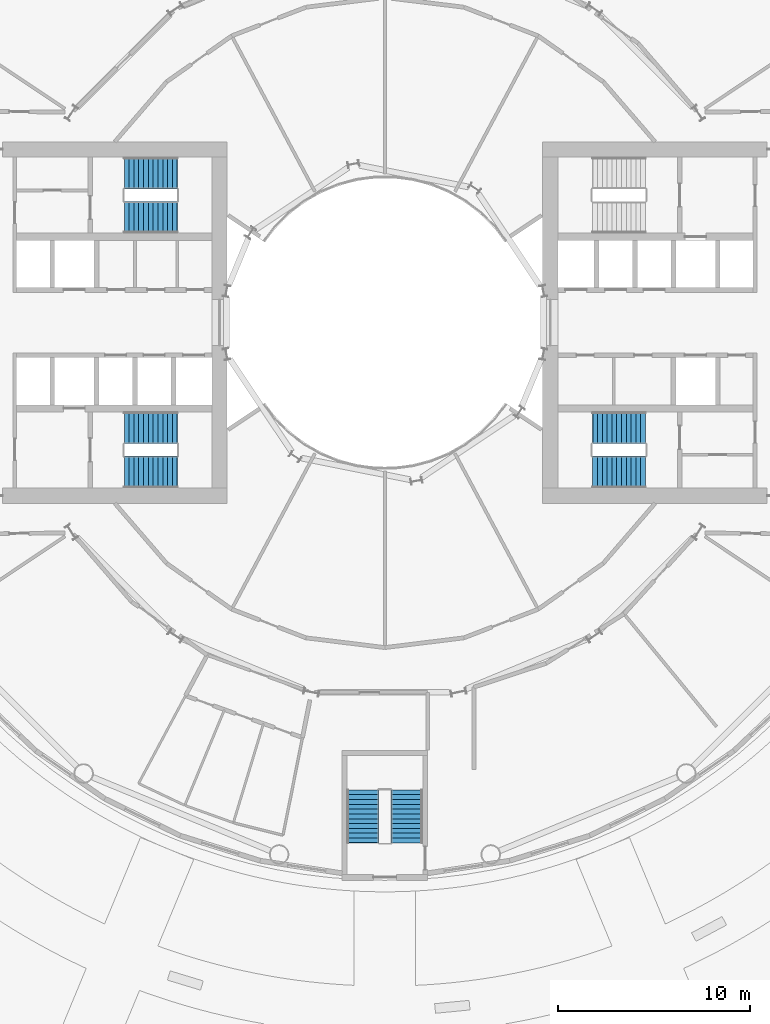
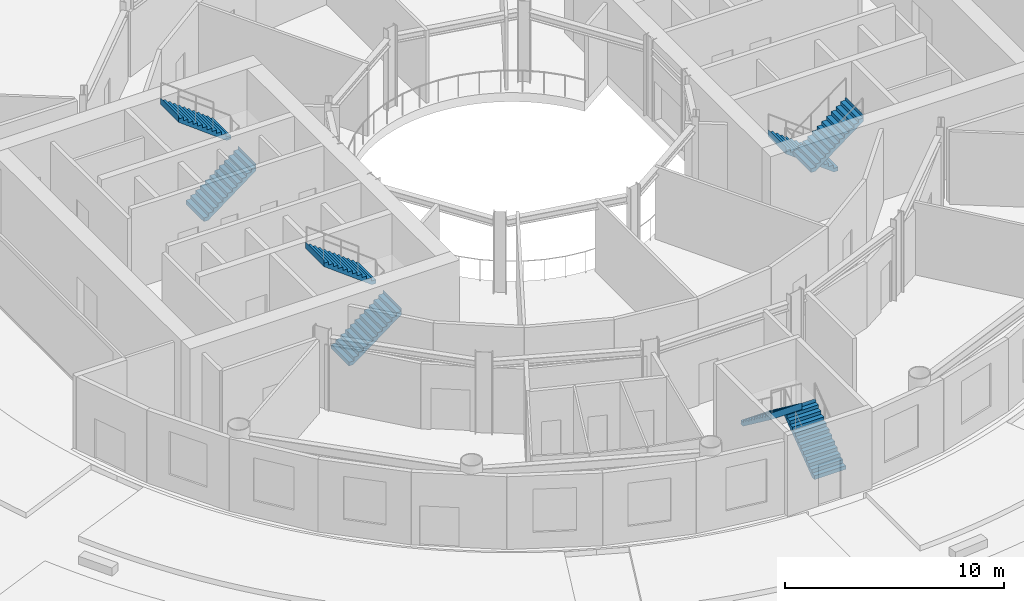
# One storey, part 16 of 19: 8 stair flights, 4 elements without a shape of their own.
"""IFC4 building model written with IfcOpenShell, lengths in metres."""

from ifc_helpers import new_model, si_unit, direction, frame, origin, place, context, subcontext, project, spatial, triangles, material, type_object, element, aggregate, save


model = new_model("IFC4")

# Units and contexts
model_context = context("Model", 3, precision=1e-05, world=origin(), true_north=direction((0.0, 1.0)))
body_context = subcontext(model_context, "Body", "Model", "MODEL_VIEW")
ifc_project = project(units=[si_unit("LENGTHUNIT", "METRE"), si_unit("AREAUNIT", "SQUARE_METRE"), si_unit("VOLUMEUNIT", "CUBIC_METRE"), si_unit("PLANEANGLEUNIT", "RADIAN"), si_unit("MASSUNIT", "GRAM", prefix="KILO")], contexts=[model_context])

# Site, building, storey
site_placement = place(None, origin())
site = spatial("IfcSite", under=ifc_project, at=site_placement, CompositionType="ELEMENT")
building_placement = place(site_placement, origin())
building = spatial("IfcBuilding", under=site, at=building_placement, Name="Maasbend Ring Residences", CompositionType="ELEMENT")
storey_placement = place(building_placement, frame((0.0, 0.0, 9.60009765625)))
storey = spatial("IfcBuildingStorey", under=building, at=storey_placement, Name="L02", CompositionType="ELEMENT", Elevation=9.60009765625)

# Stair, stair flights
ifc_material_1 = material(Name="Concrete C40/50", Category="concrete")
stair_type = type_object("IfcStairType", Name="CORE STAIR 24 RISERS", PredefinedType="HALF_TURN_STAIR", material=ifc_material_1)
stair_1_placement = place(storey_placement, origin())
stair_1 = element("IfcStair", 1, at=stair_1_placement, inside=storey, type_object=stair_type, Name="L02 Exit stair ST-E2", PredefinedType="HALF_TURN_STAIR")
ifc_material_2 = material(Name="Concrete C40/50", Category="concrete")
stair_flight_type = type_object("IfcStairFlightType", Name="CORE STAIR FLIGHT 1650", PredefinedType="STRAIGHT", material=ifc_material_2)
stair_flight_1_placement = place(storey_placement, frame((13.550048828125, -5.47509765625, 0.0), z_axis=(0.0, 0.0, 1.0), x_axis=(-1.0, 0.0, 0.0)))
stair_flight_1 = element("IfcStairFlight", 2, at=stair_flight_1_placement, type_object=stair_flight_type, Name="ST-E2 flight 1", NumberOfRisers=12, NumberOfTreads=11, PredefinedType="STRAIGHT", RiserHeight=0.1875, TreadLength=0.25, context=body_context, shape_type="Tessellation", body=[
    triangles([(0.22607421875, 0.824951171875, -0.02001953125), (2.7529296875, 0.824951171875, 1.875), (2.7529296875, 0.824951171875, 2.25), (2.739990234375, 0.824951171875, 2.0625), (2.5, 0.824951171875, 2.0625), (2.5, 0.824951171875, 1.875), (2.25, 0.824951171875, 1.875), (2.25, 0.824951171875, 1.6875), (2.0, 0.824951171875, 1.6875), (2.0, 0.824951171875, 1.5), (1.75, 0.824951171875, 1.5), (1.75, 0.824951171875, 1.3125), (1.5, 0.824951171875, 1.3125), (1.5, 0.824951171875, 1.125), (1.25, 0.824951171875, 1.125), (1.25, 0.824951171875, 0.9375), (1.0, 0.824951171875, 0.9375), (1.0, 0.824951171875, 0.75), (0.75, 0.824951171875, 0.75), (0.75, 0.824951171875, 0.5625), (0.5, 0.824951171875, 0.5625), (0.5, 0.824951171875, 0.375), (0.25, 0.824951171875, 0.375), (0.25, 0.824951171875, 0.1875), (0.0, 0.824951171875, 0.1875), (0.0, 0.824951171875, 0.0), (-0.0029296875, 0.824951171875, 0.0), (-0.0029296875, 0.824951171875, -0.02001953125), (0.22607421875, -0.824951171875, -0.02001953125), (2.7529296875, -0.824951171875, 1.875), (2.7529296875, -0.824951171875, 2.25), (2.739990234375, -0.824951171875, 2.0625), (2.5, -0.824951171875, 2.0625), (2.5, -0.824951171875, 1.875), (2.25, -0.824951171875, 1.875), (2.25, -0.824951171875, 1.6875), (2.0, -0.824951171875, 1.6875), (2.0, -0.824951171875, 1.5), (1.75, -0.824951171875, 1.5), (1.75, -0.824951171875, 1.3125), (1.5, -0.824951171875, 1.3125), (1.5, -0.824951171875, 1.125), (1.25, -0.824951171875, 1.125), (1.25, -0.824951171875, 0.9375), (1.0, -0.824951171875, 0.9375), (1.0, -0.824951171875, 0.75), (0.75, -0.824951171875, 0.75), (0.75, -0.824951171875, 0.5625), (0.5, -0.824951171875, 0.5625), (0.5, -0.824951171875, 0.375), (0.25, -0.824951171875, 0.375), (0.25, -0.824951171875, 0.1875), (0.0, -0.824951171875, 0.1875), (0.0, -0.824951171875, 0.0), (-0.0029296875, -0.824951171875, 0.0), (-0.0029296875, -0.824951171875, -0.02001953125)], [[1, 2, 30], [1, 30, 29], [2, 3, 31], [2, 31, 30], [3, 4, 32], [3, 32, 31], [4, 5, 33], [4, 33, 32], [5, 6, 34], [5, 34, 33], [6, 7, 35], [6, 35, 34], [7, 8, 36], [7, 36, 35], [8, 9, 37], [8, 37, 36], [9, 10, 38], [9, 38, 37], [10, 11, 39], [10, 39, 38], [11, 12, 40], [11, 40, 39], [12, 13, 41], [12, 41, 40], [13, 14, 42], [13, 42, 41], [14, 15, 43], [14, 43, 42], [15, 16, 44], [15, 44, 43], [16, 17, 45], [16, 45, 44], [17, 18, 46], [17, 46, 45], [18, 19, 47], [18, 47, 46], [19, 20, 48], [19, 48, 47], [20, 21, 49], [20, 49, 48], [21, 22, 50], [21, 50, 49], [22, 23, 51], [22, 51, 50], [23, 24, 52], [23, 52, 51], [24, 25, 53], [24, 53, 52], [25, 26, 54], [25, 54, 53], [26, 27, 55], [26, 55, 54], [27, 28, 56], [27, 56, 55], [28, 1, 29], [28, 29, 56], [28, 2, 1], [2, 4, 3], [2, 5, 4], [2, 6, 5], [28, 6, 2], [6, 8, 7], [28, 8, 6], [8, 10, 9], [28, 10, 8], [10, 12, 11], [28, 12, 10], [12, 14, 13], [28, 14, 12], [14, 16, 15], [28, 16, 14], [16, 18, 17], [28, 18, 16], [18, 20, 19], [28, 20, 18], [20, 22, 21], [28, 22, 20], [22, 24, 23], [28, 24, 22], [24, 26, 25], [28, 26, 24], [26, 28, 27], [56, 29, 30], [30, 31, 32], [30, 32, 33], [30, 33, 34], [56, 30, 34], [34, 35, 36], [56, 34, 36], [36, 37, 38], [56, 36, 38], [38, 39, 40], [56, 38, 40], [40, 41, 42], [56, 40, 42], [42, 43, 44], [56, 42, 44], [44, 45, 46], [56, 44, 46], [46, 47, 48], [56, 46, 48], [48, 49, 50], [56, 48, 50], [50, 51, 52], [56, 50, 52], [52, 53, 54], [56, 52, 54], [54, 55, 56]], closed=True),
])
stair_flight_2_placement = place(storey_placement, frame((10.800048828125, -7.77490234375, 2.25), z_axis=(0.0, 0.0, 1.0), x_axis=(1.0, 0.0, 0.0)))
stair_flight_2 = element("IfcStairFlight", 3, at=stair_flight_2_placement, type_object=stair_flight_type, Name="ST-E2 flight 2", NumberOfRisers=12, NumberOfTreads=11, PredefinedType="STRAIGHT", RiserHeight=0.1875, TreadLength=0.25, context=body_context, shape_type="Tessellation", body=[
    triangles([(0.22607421875, 0.824951171875, -0.02001953125), (2.7529296875, 0.824951171875, 1.875), (2.7529296875, 0.824951171875, 2.25), (2.739990234375, 0.824951171875, 2.0625), (2.5, 0.824951171875, 2.0625), (2.5, 0.824951171875, 1.875), (2.25, 0.824951171875, 1.875), (2.25, 0.824951171875, 1.6875), (2.0, 0.824951171875, 1.6875), (2.0, 0.824951171875, 1.5), (1.75, 0.824951171875, 1.5), (1.75, 0.824951171875, 1.3125), (1.5, 0.824951171875, 1.3125), (1.5, 0.824951171875, 1.125), (1.25, 0.824951171875, 1.125), (1.25, 0.824951171875, 0.9375), (1.0, 0.824951171875, 0.9375), (1.0, 0.824951171875, 0.75), (0.75, 0.824951171875, 0.75), (0.75, 0.824951171875, 0.5625), (0.5, 0.824951171875, 0.5625), (0.5, 0.824951171875, 0.375), (0.25, 0.824951171875, 0.375), (0.25, 0.824951171875, 0.1875), (0.0, 0.824951171875, 0.1875), (0.0, 0.824951171875, 0.0), (-0.0029296875, 0.824951171875, 0.0), (-0.0029296875, 0.824951171875, -0.02001953125), (0.22607421875, -0.824951171875, -0.02001953125), (2.7529296875, -0.824951171875, 1.875), (2.7529296875, -0.824951171875, 2.25), (2.739990234375, -0.824951171875, 2.0625), (2.5, -0.824951171875, 2.0625), (2.5, -0.824951171875, 1.875), (2.25, -0.824951171875, 1.875), (2.25, -0.824951171875, 1.6875), (2.0, -0.824951171875, 1.6875), (2.0, -0.824951171875, 1.5), (1.75, -0.824951171875, 1.5), (1.75, -0.824951171875, 1.3125), (1.5, -0.824951171875, 1.3125), (1.5, -0.824951171875, 1.125), (1.25, -0.824951171875, 1.125), (1.25, -0.824951171875, 0.9375), (1.0, -0.824951171875, 0.9375), (1.0, -0.824951171875, 0.75), (0.75, -0.824951171875, 0.75), (0.75, -0.824951171875, 0.5625), (0.5, -0.824951171875, 0.5625), (0.5, -0.824951171875, 0.375), (0.25, -0.824951171875, 0.375), (0.25, -0.824951171875, 0.1875), (0.0, -0.824951171875, 0.1875), (0.0, -0.824951171875, 0.0), (-0.0029296875, -0.824951171875, 0.0), (-0.0029296875, -0.824951171875, -0.02001953125)], [[1, 2, 30], [1, 30, 29], [2, 3, 31], [2, 31, 30], [3, 4, 32], [3, 32, 31], [4, 5, 33], [4, 33, 32], [5, 6, 34], [5, 34, 33], [6, 7, 35], [6, 35, 34], [7, 8, 36], [7, 36, 35], [8, 9, 37], [8, 37, 36], [9, 10, 38], [9, 38, 37], [10, 11, 39], [10, 39, 38], [11, 12, 40], [11, 40, 39], [12, 13, 41], [12, 41, 40], [13, 14, 42], [13, 42, 41], [14, 15, 43], [14, 43, 42], [15, 16, 44], [15, 44, 43], [16, 17, 45], [16, 45, 44], [17, 18, 46], [17, 46, 45], [18, 19, 47], [18, 47, 46], [19, 20, 48], [19, 48, 47], [20, 21, 49], [20, 49, 48], [21, 22, 50], [21, 50, 49], [22, 23, 51], [22, 51, 50], [23, 24, 52], [23, 52, 51], [24, 25, 53], [24, 53, 52], [25, 26, 54], [25, 54, 53], [26, 27, 55], [26, 55, 54], [27, 28, 56], [27, 56, 55], [28, 1, 29], [28, 29, 56], [28, 2, 1], [2, 4, 3], [2, 5, 4], [2, 6, 5], [28, 6, 2], [6, 8, 7], [28, 8, 6], [8, 10, 9], [28, 10, 8], [10, 12, 11], [28, 12, 10], [12, 14, 13], [28, 14, 12], [14, 16, 15], [28, 16, 14], [16, 18, 17], [28, 18, 16], [18, 20, 19], [28, 20, 18], [20, 22, 21], [28, 22, 20], [22, 24, 23], [28, 24, 22], [24, 26, 25], [28, 26, 24], [26, 28, 27], [56, 29, 30], [30, 31, 32], [30, 32, 33], [30, 33, 34], [56, 30, 34], [34, 35, 36], [56, 34, 36], [36, 37, 38], [56, 36, 38], [38, 39, 40], [56, 38, 40], [40, 41, 42], [56, 40, 42], [42, 43, 44], [56, 42, 44], [44, 45, 46], [56, 44, 46], [46, 47, 48], [56, 46, 48], [48, 49, 50], [56, 48, 50], [50, 51, 52], [56, 50, 52], [52, 53, 54], [56, 52, 54], [54, 55, 56]], closed=True),
])
aggregate(stair_1, [stair_flight_1, stair_flight_2])

stair_2_placement = place(storey_placement, origin())
stair_2 = element("IfcStair", 4, at=stair_2_placement, inside=storey, type_object=stair_type, Name="L02 Exit stair ST-W1", PredefinedType="HALF_TURN_STAIR")
stair_flight_3_placement = place(storey_placement, frame((-13.550048828125, -7.77490234375, 0.0), z_axis=(0.0, 0.0, 1.0), x_axis=(1.0, 0.0, 0.0)))
stair_flight_3 = element("IfcStairFlight", 5, at=stair_flight_3_placement, type_object=stair_flight_type, Name="ST-W1 flight 1", NumberOfRisers=12, NumberOfTreads=11, PredefinedType="STRAIGHT", RiserHeight=0.1875, TreadLength=0.25, context=body_context, shape_type="Tessellation", body=[
    triangles([(0.22607421875, 0.824951171875, -0.02001953125), (2.7529296875, 0.824951171875, 1.875), (2.7529296875, 0.824951171875, 2.25), (2.739990234375, 0.824951171875, 2.0625), (2.5, 0.824951171875, 2.0625), (2.5, 0.824951171875, 1.875), (2.25, 0.824951171875, 1.875), (2.25, 0.824951171875, 1.6875), (2.0, 0.824951171875, 1.6875), (2.0, 0.824951171875, 1.5), (1.75, 0.824951171875, 1.5), (1.75, 0.824951171875, 1.3125), (1.5, 0.824951171875, 1.3125), (1.5, 0.824951171875, 1.125), (1.25, 0.824951171875, 1.125), (1.25, 0.824951171875, 0.9375), (1.0, 0.824951171875, 0.9375), (1.0, 0.824951171875, 0.75), (0.75, 0.824951171875, 0.75), (0.75, 0.824951171875, 0.5625), (0.5, 0.824951171875, 0.5625), (0.5, 0.824951171875, 0.375), (0.25, 0.824951171875, 0.375), (0.25, 0.824951171875, 0.1875), (0.0, 0.824951171875, 0.1875), (0.0, 0.824951171875, 0.0), (-0.0029296875, 0.824951171875, 0.0), (-0.0029296875, 0.824951171875, -0.02001953125), (0.22607421875, -0.824951171875, -0.02001953125), (2.7529296875, -0.824951171875, 1.875), (2.7529296875, -0.824951171875, 2.25), (2.739990234375, -0.824951171875, 2.0625), (2.5, -0.824951171875, 2.0625), (2.5, -0.824951171875, 1.875), (2.25, -0.824951171875, 1.875), (2.25, -0.824951171875, 1.6875), (2.0, -0.824951171875, 1.6875), (2.0, -0.824951171875, 1.5), (1.75, -0.824951171875, 1.5), (1.75, -0.824951171875, 1.3125), (1.5, -0.824951171875, 1.3125), (1.5, -0.824951171875, 1.125), (1.25, -0.824951171875, 1.125), (1.25, -0.824951171875, 0.9375), (1.0, -0.824951171875, 0.9375), (1.0, -0.824951171875, 0.75), (0.75, -0.824951171875, 0.75), (0.75, -0.824951171875, 0.5625), (0.5, -0.824951171875, 0.5625), (0.5, -0.824951171875, 0.375), (0.25, -0.824951171875, 0.375), (0.25, -0.824951171875, 0.1875), (0.0, -0.824951171875, 0.1875), (0.0, -0.824951171875, 0.0), (-0.0029296875, -0.824951171875, 0.0), (-0.0029296875, -0.824951171875, -0.02001953125)], [[1, 2, 30], [1, 30, 29], [2, 3, 31], [2, 31, 30], [3, 4, 32], [3, 32, 31], [4, 5, 33], [4, 33, 32], [5, 6, 34], [5, 34, 33], [6, 7, 35], [6, 35, 34], [7, 8, 36], [7, 36, 35], [8, 9, 37], [8, 37, 36], [9, 10, 38], [9, 38, 37], [10, 11, 39], [10, 39, 38], [11, 12, 40], [11, 40, 39], [12, 13, 41], [12, 41, 40], [13, 14, 42], [13, 42, 41], [14, 15, 43], [14, 43, 42], [15, 16, 44], [15, 44, 43], [16, 17, 45], [16, 45, 44], [17, 18, 46], [17, 46, 45], [18, 19, 47], [18, 47, 46], [19, 20, 48], [19, 48, 47], [20, 21, 49], [20, 49, 48], [21, 22, 50], [21, 50, 49], [22, 23, 51], [22, 51, 50], [23, 24, 52], [23, 52, 51], [24, 25, 53], [24, 53, 52], [25, 26, 54], [25, 54, 53], [26, 27, 55], [26, 55, 54], [27, 28, 56], [27, 56, 55], [28, 1, 29], [28, 29, 56], [28, 2, 1], [2, 4, 3], [2, 5, 4], [2, 6, 5], [28, 6, 2], [6, 8, 7], [28, 8, 6], [8, 10, 9], [28, 10, 8], [10, 12, 11], [28, 12, 10], [12, 14, 13], [28, 14, 12], [14, 16, 15], [28, 16, 14], [16, 18, 17], [28, 18, 16], [18, 20, 19], [28, 20, 18], [20, 22, 21], [28, 22, 20], [22, 24, 23], [28, 24, 22], [24, 26, 25], [28, 26, 24], [26, 28, 27], [56, 29, 30], [30, 31, 32], [30, 32, 33], [30, 33, 34], [56, 30, 34], [34, 35, 36], [56, 34, 36], [36, 37, 38], [56, 36, 38], [38, 39, 40], [56, 38, 40], [40, 41, 42], [56, 40, 42], [42, 43, 44], [56, 42, 44], [44, 45, 46], [56, 44, 46], [46, 47, 48], [56, 46, 48], [48, 49, 50], [56, 48, 50], [50, 51, 52], [56, 50, 52], [52, 53, 54], [56, 52, 54], [54, 55, 56]], closed=True),
])
stair_flight_4_placement = place(storey_placement, frame((-10.800048828125, -5.47509765625, 2.25), z_axis=(0.0, 0.0, 1.0), x_axis=(-1.0, 0.0, 0.0)))
stair_flight_4 = element("IfcStairFlight", 6, at=stair_flight_4_placement, type_object=stair_flight_type, Name="ST-W1 flight 2", NumberOfRisers=12, NumberOfTreads=11, PredefinedType="STRAIGHT", RiserHeight=0.1875, TreadLength=0.25, context=body_context, shape_type="Tessellation", body=[
    triangles([(0.22607421875, 0.824951171875, -0.02001953125), (2.7529296875, 0.824951171875, 1.875), (2.7529296875, 0.824951171875, 2.25), (2.739990234375, 0.824951171875, 2.0625), (2.5, 0.824951171875, 2.0625), (2.5, 0.824951171875, 1.875), (2.25, 0.824951171875, 1.875), (2.25, 0.824951171875, 1.6875), (2.0, 0.824951171875, 1.6875), (2.0, 0.824951171875, 1.5), (1.75, 0.824951171875, 1.5), (1.75, 0.824951171875, 1.3125), (1.5, 0.824951171875, 1.3125), (1.5, 0.824951171875, 1.125), (1.25, 0.824951171875, 1.125), (1.25, 0.824951171875, 0.9375), (1.0, 0.824951171875, 0.9375), (1.0, 0.824951171875, 0.75), (0.75, 0.824951171875, 0.75), (0.75, 0.824951171875, 0.5625), (0.5, 0.824951171875, 0.5625), (0.5, 0.824951171875, 0.375), (0.25, 0.824951171875, 0.375), (0.25, 0.824951171875, 0.1875), (0.0, 0.824951171875, 0.1875), (0.0, 0.824951171875, 0.0), (-0.0029296875, 0.824951171875, 0.0), (-0.0029296875, 0.824951171875, -0.02001953125), (0.22607421875, -0.824951171875, -0.02001953125), (2.7529296875, -0.824951171875, 1.875), (2.7529296875, -0.824951171875, 2.25), (2.739990234375, -0.824951171875, 2.0625), (2.5, -0.824951171875, 2.0625), (2.5, -0.824951171875, 1.875), (2.25, -0.824951171875, 1.875), (2.25, -0.824951171875, 1.6875), (2.0, -0.824951171875, 1.6875), (2.0, -0.824951171875, 1.5), (1.75, -0.824951171875, 1.5), (1.75, -0.824951171875, 1.3125), (1.5, -0.824951171875, 1.3125), (1.5, -0.824951171875, 1.125), (1.25, -0.824951171875, 1.125), (1.25, -0.824951171875, 0.9375), (1.0, -0.824951171875, 0.9375), (1.0, -0.824951171875, 0.75), (0.75, -0.824951171875, 0.75), (0.75, -0.824951171875, 0.5625), (0.5, -0.824951171875, 0.5625), (0.5, -0.824951171875, 0.375), (0.25, -0.824951171875, 0.375), (0.25, -0.824951171875, 0.1875), (0.0, -0.824951171875, 0.1875), (0.0, -0.824951171875, 0.0), (-0.0029296875, -0.824951171875, 0.0), (-0.0029296875, -0.824951171875, -0.02001953125)], [[1, 2, 30], [1, 30, 29], [2, 3, 31], [2, 31, 30], [3, 4, 32], [3, 32, 31], [4, 5, 33], [4, 33, 32], [5, 6, 34], [5, 34, 33], [6, 7, 35], [6, 35, 34], [7, 8, 36], [7, 36, 35], [8, 9, 37], [8, 37, 36], [9, 10, 38], [9, 38, 37], [10, 11, 39], [10, 39, 38], [11, 12, 40], [11, 40, 39], [12, 13, 41], [12, 41, 40], [13, 14, 42], [13, 42, 41], [14, 15, 43], [14, 43, 42], [15, 16, 44], [15, 44, 43], [16, 17, 45], [16, 45, 44], [17, 18, 46], [17, 46, 45], [18, 19, 47], [18, 47, 46], [19, 20, 48], [19, 48, 47], [20, 21, 49], [20, 49, 48], [21, 22, 50], [21, 50, 49], [22, 23, 51], [22, 51, 50], [23, 24, 52], [23, 52, 51], [24, 25, 53], [24, 53, 52], [25, 26, 54], [25, 54, 53], [26, 27, 55], [26, 55, 54], [27, 28, 56], [27, 56, 55], [28, 1, 29], [28, 29, 56], [28, 2, 1], [2, 4, 3], [2, 5, 4], [2, 6, 5], [28, 6, 2], [6, 8, 7], [28, 8, 6], [8, 10, 9], [28, 10, 8], [10, 12, 11], [28, 12, 10], [12, 14, 13], [28, 14, 12], [14, 16, 15], [28, 16, 14], [16, 18, 17], [28, 18, 16], [18, 20, 19], [28, 20, 18], [20, 22, 21], [28, 22, 20], [22, 24, 23], [28, 24, 22], [24, 26, 25], [28, 26, 24], [26, 28, 27], [56, 29, 30], [30, 31, 32], [30, 32, 33], [30, 33, 34], [56, 30, 34], [34, 35, 36], [56, 34, 36], [36, 37, 38], [56, 36, 38], [38, 39, 40], [56, 38, 40], [40, 41, 42], [56, 40, 42], [42, 43, 44], [56, 42, 44], [44, 45, 46], [56, 44, 46], [46, 47, 48], [56, 46, 48], [48, 49, 50], [56, 48, 50], [50, 51, 52], [56, 50, 52], [52, 53, 54], [56, 52, 54], [54, 55, 56]], closed=True),
])
aggregate(stair_2, [stair_flight_3, stair_flight_4])

stair_3_placement = place(storey_placement, origin())
stair_3 = element("IfcStair", 7, at=stair_3_placement, inside=storey, type_object=stair_type, Name="L02 Exit stair ST-W2", PredefinedType="HALF_TURN_STAIR")
stair_flight_5_placement = place(storey_placement, frame((-13.550048828125, 5.47509765625, 0.0), z_axis=(0.0, 0.0, 1.0), x_axis=(1.0, 0.0, 0.0)))
stair_flight_5 = element("IfcStairFlight", 8, at=stair_flight_5_placement, type_object=stair_flight_type, Name="ST-W2 flight 1", NumberOfRisers=12, NumberOfTreads=11, PredefinedType="STRAIGHT", RiserHeight=0.1875, TreadLength=0.25, context=body_context, shape_type="Tessellation", body=[
    triangles([(0.22607421875, 0.824951171875, -0.02001953125), (2.7529296875, 0.824951171875, 1.875), (2.7529296875, 0.824951171875, 2.25), (2.739990234375, 0.824951171875, 2.0625), (2.5, 0.824951171875, 2.0625), (2.5, 0.824951171875, 1.875), (2.25, 0.824951171875, 1.875), (2.25, 0.824951171875, 1.6875), (2.0, 0.824951171875, 1.6875), (2.0, 0.824951171875, 1.5), (1.75, 0.824951171875, 1.5), (1.75, 0.824951171875, 1.3125), (1.5, 0.824951171875, 1.3125), (1.5, 0.824951171875, 1.125), (1.25, 0.824951171875, 1.125), (1.25, 0.824951171875, 0.9375), (1.0, 0.824951171875, 0.9375), (1.0, 0.824951171875, 0.75), (0.75, 0.824951171875, 0.75), (0.75, 0.824951171875, 0.5625), (0.5, 0.824951171875, 0.5625), (0.5, 0.824951171875, 0.375), (0.25, 0.824951171875, 0.375), (0.25, 0.824951171875, 0.1875), (0.0, 0.824951171875, 0.1875), (0.0, 0.824951171875, 0.0), (-0.0029296875, 0.824951171875, 0.0), (-0.0029296875, 0.824951171875, -0.02001953125), (0.22607421875, -0.824951171875, -0.02001953125), (2.7529296875, -0.824951171875, 1.875), (2.7529296875, -0.824951171875, 2.25), (2.739990234375, -0.824951171875, 2.0625), (2.5, -0.824951171875, 2.0625), (2.5, -0.824951171875, 1.875), (2.25, -0.824951171875, 1.875), (2.25, -0.824951171875, 1.6875), (2.0, -0.824951171875, 1.6875), (2.0, -0.824951171875, 1.5), (1.75, -0.824951171875, 1.5), (1.75, -0.824951171875, 1.3125), (1.5, -0.824951171875, 1.3125), (1.5, -0.824951171875, 1.125), (1.25, -0.824951171875, 1.125), (1.25, -0.824951171875, 0.9375), (1.0, -0.824951171875, 0.9375), (1.0, -0.824951171875, 0.75), (0.75, -0.824951171875, 0.75), (0.75, -0.824951171875, 0.5625), (0.5, -0.824951171875, 0.5625), (0.5, -0.824951171875, 0.375), (0.25, -0.824951171875, 0.375), (0.25, -0.824951171875, 0.1875), (0.0, -0.824951171875, 0.1875), (0.0, -0.824951171875, 0.0), (-0.0029296875, -0.824951171875, 0.0), (-0.0029296875, -0.824951171875, -0.02001953125)], [[1, 2, 30], [1, 30, 29], [2, 3, 31], [2, 31, 30], [3, 4, 32], [3, 32, 31], [4, 5, 33], [4, 33, 32], [5, 6, 34], [5, 34, 33], [6, 7, 35], [6, 35, 34], [7, 8, 36], [7, 36, 35], [8, 9, 37], [8, 37, 36], [9, 10, 38], [9, 38, 37], [10, 11, 39], [10, 39, 38], [11, 12, 40], [11, 40, 39], [12, 13, 41], [12, 41, 40], [13, 14, 42], [13, 42, 41], [14, 15, 43], [14, 43, 42], [15, 16, 44], [15, 44, 43], [16, 17, 45], [16, 45, 44], [17, 18, 46], [17, 46, 45], [18, 19, 47], [18, 47, 46], [19, 20, 48], [19, 48, 47], [20, 21, 49], [20, 49, 48], [21, 22, 50], [21, 50, 49], [22, 23, 51], [22, 51, 50], [23, 24, 52], [23, 52, 51], [24, 25, 53], [24, 53, 52], [25, 26, 54], [25, 54, 53], [26, 27, 55], [26, 55, 54], [27, 28, 56], [27, 56, 55], [28, 1, 29], [28, 29, 56], [28, 2, 1], [2, 4, 3], [2, 5, 4], [2, 6, 5], [28, 6, 2], [6, 8, 7], [28, 8, 6], [8, 10, 9], [28, 10, 8], [10, 12, 11], [28, 12, 10], [12, 14, 13], [28, 14, 12], [14, 16, 15], [28, 16, 14], [16, 18, 17], [28, 18, 16], [18, 20, 19], [28, 20, 18], [20, 22, 21], [28, 22, 20], [22, 24, 23], [28, 24, 22], [24, 26, 25], [28, 26, 24], [26, 28, 27], [56, 29, 30], [30, 31, 32], [30, 32, 33], [30, 33, 34], [56, 30, 34], [34, 35, 36], [56, 34, 36], [36, 37, 38], [56, 36, 38], [38, 39, 40], [56, 38, 40], [40, 41, 42], [56, 40, 42], [42, 43, 44], [56, 42, 44], [44, 45, 46], [56, 44, 46], [46, 47, 48], [56, 46, 48], [48, 49, 50], [56, 48, 50], [50, 51, 52], [56, 50, 52], [52, 53, 54], [56, 52, 54], [54, 55, 56]], closed=True),
])
stair_flight_6_placement = place(storey_placement, frame((-10.800048828125, 7.77490234375, 2.25), z_axis=(0.0, 0.0, 1.0), x_axis=(-1.0, 0.0, 0.0)))
stair_flight_6 = element("IfcStairFlight", 9, at=stair_flight_6_placement, type_object=stair_flight_type, Name="ST-W2 flight 2", NumberOfRisers=12, NumberOfTreads=11, PredefinedType="STRAIGHT", RiserHeight=0.1875, TreadLength=0.25, context=body_context, shape_type="Tessellation", body=[
    triangles([(0.22607421875, 0.824951171875, -0.02001953125), (2.7529296875, 0.824951171875, 1.875), (2.7529296875, 0.824951171875, 2.25), (2.739990234375, 0.824951171875, 2.0625), (2.5, 0.824951171875, 2.0625), (2.5, 0.824951171875, 1.875), (2.25, 0.824951171875, 1.875), (2.25, 0.824951171875, 1.6875), (2.0, 0.824951171875, 1.6875), (2.0, 0.824951171875, 1.5), (1.75, 0.824951171875, 1.5), (1.75, 0.824951171875, 1.3125), (1.5, 0.824951171875, 1.3125), (1.5, 0.824951171875, 1.125), (1.25, 0.824951171875, 1.125), (1.25, 0.824951171875, 0.9375), (1.0, 0.824951171875, 0.9375), (1.0, 0.824951171875, 0.75), (0.75, 0.824951171875, 0.75), (0.75, 0.824951171875, 0.5625), (0.5, 0.824951171875, 0.5625), (0.5, 0.824951171875, 0.375), (0.25, 0.824951171875, 0.375), (0.25, 0.824951171875, 0.1875), (0.0, 0.824951171875, 0.1875), (0.0, 0.824951171875, 0.0), (-0.0029296875, 0.824951171875, 0.0), (-0.0029296875, 0.824951171875, -0.02001953125), (0.22607421875, -0.824951171875, -0.02001953125), (2.7529296875, -0.824951171875, 1.875), (2.7529296875, -0.824951171875, 2.25), (2.739990234375, -0.824951171875, 2.0625), (2.5, -0.824951171875, 2.0625), (2.5, -0.824951171875, 1.875), (2.25, -0.824951171875, 1.875), (2.25, -0.824951171875, 1.6875), (2.0, -0.824951171875, 1.6875), (2.0, -0.824951171875, 1.5), (1.75, -0.824951171875, 1.5), (1.75, -0.824951171875, 1.3125), (1.5, -0.824951171875, 1.3125), (1.5, -0.824951171875, 1.125), (1.25, -0.824951171875, 1.125), (1.25, -0.824951171875, 0.9375), (1.0, -0.824951171875, 0.9375), (1.0, -0.824951171875, 0.75), (0.75, -0.824951171875, 0.75), (0.75, -0.824951171875, 0.5625), (0.5, -0.824951171875, 0.5625), (0.5, -0.824951171875, 0.375), (0.25, -0.824951171875, 0.375), (0.25, -0.824951171875, 0.1875), (0.0, -0.824951171875, 0.1875), (0.0, -0.824951171875, 0.0), (-0.0029296875, -0.824951171875, 0.0), (-0.0029296875, -0.824951171875, -0.02001953125)], [[1, 2, 30], [1, 30, 29], [2, 3, 31], [2, 31, 30], [3, 4, 32], [3, 32, 31], [4, 5, 33], [4, 33, 32], [5, 6, 34], [5, 34, 33], [6, 7, 35], [6, 35, 34], [7, 8, 36], [7, 36, 35], [8, 9, 37], [8, 37, 36], [9, 10, 38], [9, 38, 37], [10, 11, 39], [10, 39, 38], [11, 12, 40], [11, 40, 39], [12, 13, 41], [12, 41, 40], [13, 14, 42], [13, 42, 41], [14, 15, 43], [14, 43, 42], [15, 16, 44], [15, 44, 43], [16, 17, 45], [16, 45, 44], [17, 18, 46], [17, 46, 45], [18, 19, 47], [18, 47, 46], [19, 20, 48], [19, 48, 47], [20, 21, 49], [20, 49, 48], [21, 22, 50], [21, 50, 49], [22, 23, 51], [22, 51, 50], [23, 24, 52], [23, 52, 51], [24, 25, 53], [24, 53, 52], [25, 26, 54], [25, 54, 53], [26, 27, 55], [26, 55, 54], [27, 28, 56], [27, 56, 55], [28, 1, 29], [28, 29, 56], [28, 2, 1], [2, 4, 3], [2, 5, 4], [2, 6, 5], [28, 6, 2], [6, 8, 7], [28, 8, 6], [8, 10, 9], [28, 10, 8], [10, 12, 11], [28, 12, 10], [12, 14, 13], [28, 14, 12], [14, 16, 15], [28, 16, 14], [16, 18, 17], [28, 18, 16], [18, 20, 19], [28, 20, 18], [20, 22, 21], [28, 22, 20], [22, 24, 23], [28, 24, 22], [24, 26, 25], [28, 26, 24], [26, 28, 27], [56, 29, 30], [30, 31, 32], [30, 32, 33], [30, 33, 34], [56, 30, 34], [34, 35, 36], [56, 34, 36], [36, 37, 38], [56, 36, 38], [38, 39, 40], [56, 38, 40], [40, 41, 42], [56, 40, 42], [42, 43, 44], [56, 42, 44], [44, 45, 46], [56, 44, 46], [46, 47, 48], [56, 46, 48], [48, 49, 50], [56, 48, 50], [50, 51, 52], [56, 50, 52], [52, 53, 54], [56, 52, 54], [54, 55, 56]], closed=True),
])
aggregate(stair_3, [stair_flight_5, stair_flight_6])

stair_4_placement = place(storey_placement, origin())
stair_4 = element("IfcStair", 10, at=stair_4_placement, inside=storey, type_object=stair_type, Name="L02 Exit stair ST-P3", PredefinedType="HALF_TURN_STAIR")
stair_flight_7_placement = place(storey_placement, frame((1.14990234375, -27.050048828125, 0.0), z_axis=(0.0, 0.0, 1.0), x_axis=(0.0, 1.0, 0.0)))
stair_flight_7 = element("IfcStairFlight", 11, at=stair_flight_7_placement, type_object=stair_flight_type, Name="ST-P3 flight 1", NumberOfRisers=12, NumberOfTreads=11, PredefinedType="STRAIGHT", RiserHeight=0.1875, TreadLength=0.25, context=body_context, shape_type="Tessellation", body=[
    triangles([(0.22607421875, 0.824951171875, -0.02001953125), (2.7529296875, 0.824951171875, 1.875), (2.7529296875, 0.824951171875, 2.25), (2.739990234375, 0.824951171875, 2.0625), (2.5, 0.824951171875, 2.0625), (2.5, 0.824951171875, 1.875), (2.25, 0.824951171875, 1.875), (2.25, 0.824951171875, 1.6875), (2.0, 0.824951171875, 1.6875), (2.0, 0.824951171875, 1.5), (1.75, 0.824951171875, 1.5), (1.75, 0.824951171875, 1.3125), (1.5, 0.824951171875, 1.3125), (1.5, 0.824951171875, 1.125), (1.25, 0.824951171875, 1.125), (1.25, 0.824951171875, 0.9375), (1.0, 0.824951171875, 0.9375), (1.0, 0.824951171875, 0.75), (0.75, 0.824951171875, 0.75), (0.75, 0.824951171875, 0.5625), (0.5, 0.824951171875, 0.5625), (0.5, 0.824951171875, 0.375), (0.25, 0.824951171875, 0.375), (0.25, 0.824951171875, 0.1875), (0.0, 0.824951171875, 0.1875), (0.0, 0.824951171875, 0.0), (-0.0029296875, 0.824951171875, 0.0), (-0.0029296875, 0.824951171875, -0.02001953125), (0.22607421875, -0.824951171875, -0.02001953125), (2.7529296875, -0.824951171875, 1.875), (2.7529296875, -0.824951171875, 2.25), (2.739990234375, -0.824951171875, 2.0625), (2.5, -0.824951171875, 2.0625), (2.5, -0.824951171875, 1.875), (2.25, -0.824951171875, 1.875), (2.25, -0.824951171875, 1.6875), (2.0, -0.824951171875, 1.6875), (2.0, -0.824951171875, 1.5), (1.75, -0.824951171875, 1.5), (1.75, -0.824951171875, 1.3125), (1.5, -0.824951171875, 1.3125), (1.5, -0.824951171875, 1.125), (1.25, -0.824951171875, 1.125), (1.25, -0.824951171875, 0.9375), (1.0, -0.824951171875, 0.9375), (1.0, -0.824951171875, 0.75), (0.75, -0.824951171875, 0.75), (0.75, -0.824951171875, 0.5625), (0.5, -0.824951171875, 0.5625), (0.5, -0.824951171875, 0.375), (0.25, -0.824951171875, 0.375), (0.25, -0.824951171875, 0.1875), (0.0, -0.824951171875, 0.1875), (0.0, -0.824951171875, 0.0), (-0.0029296875, -0.824951171875, 0.0), (-0.0029296875, -0.824951171875, -0.02001953125)], [[1, 2, 30], [1, 30, 29], [2, 3, 31], [2, 31, 30], [3, 4, 32], [3, 32, 31], [4, 5, 33], [4, 33, 32], [5, 6, 34], [5, 34, 33], [6, 7, 35], [6, 35, 34], [7, 8, 36], [7, 36, 35], [8, 9, 37], [8, 37, 36], [9, 10, 38], [9, 38, 37], [10, 11, 39], [10, 39, 38], [11, 12, 40], [11, 40, 39], [12, 13, 41], [12, 41, 40], [13, 14, 42], [13, 42, 41], [14, 15, 43], [14, 43, 42], [15, 16, 44], [15, 44, 43], [16, 17, 45], [16, 45, 44], [17, 18, 46], [17, 46, 45], [18, 19, 47], [18, 47, 46], [19, 20, 48], [19, 48, 47], [20, 21, 49], [20, 49, 48], [21, 22, 50], [21, 50, 49], [22, 23, 51], [22, 51, 50], [23, 24, 52], [23, 52, 51], [24, 25, 53], [24, 53, 52], [25, 26, 54], [25, 54, 53], [26, 27, 55], [26, 55, 54], [27, 28, 56], [27, 56, 55], [28, 1, 29], [28, 29, 56], [28, 2, 1], [2, 4, 3], [2, 5, 4], [2, 6, 5], [28, 6, 2], [6, 8, 7], [28, 8, 6], [8, 10, 9], [28, 10, 8], [10, 12, 11], [28, 12, 10], [12, 14, 13], [28, 14, 12], [14, 16, 15], [28, 16, 14], [16, 18, 17], [28, 18, 16], [18, 20, 19], [28, 20, 18], [20, 22, 21], [28, 22, 20], [22, 24, 23], [28, 24, 22], [24, 26, 25], [28, 26, 24], [26, 28, 27], [56, 29, 30], [30, 31, 32], [30, 32, 33], [30, 33, 34], [56, 30, 34], [34, 35, 36], [56, 34, 36], [36, 37, 38], [56, 36, 38], [38, 39, 40], [56, 38, 40], [40, 41, 42], [56, 40, 42], [42, 43, 44], [56, 42, 44], [44, 45, 46], [56, 44, 46], [46, 47, 48], [56, 46, 48], [48, 49, 50], [56, 48, 50], [50, 51, 52], [56, 50, 52], [52, 53, 54], [56, 52, 54], [54, 55, 56]], closed=True),
])
stair_flight_8_placement = place(storey_placement, frame((-1.14990234375, -24.300048828125, 2.25), z_axis=(0.0, 0.0, 1.0), x_axis=(0.0, -1.0, 0.0)))
stair_flight_8 = element("IfcStairFlight", 12, at=stair_flight_8_placement, type_object=stair_flight_type, Name="ST-P3 flight 2", NumberOfRisers=12, NumberOfTreads=11, PredefinedType="STRAIGHT", RiserHeight=0.1875, TreadLength=0.25, context=body_context, shape_type="Tessellation", body=[
    triangles([(0.22607421875, 0.824951171875, -0.02001953125), (2.7529296875, 0.824951171875, 1.875), (2.7529296875, 0.824951171875, 2.25), (2.739990234375, 0.824951171875, 2.0625), (2.5, 0.824951171875, 2.0625), (2.5, 0.824951171875, 1.875), (2.25, 0.824951171875, 1.875), (2.25, 0.824951171875, 1.6875), (2.0, 0.824951171875, 1.6875), (2.0, 0.824951171875, 1.5), (1.75, 0.824951171875, 1.5), (1.75, 0.824951171875, 1.3125), (1.5, 0.824951171875, 1.3125), (1.5, 0.824951171875, 1.125), (1.25, 0.824951171875, 1.125), (1.25, 0.824951171875, 0.9375), (1.0, 0.824951171875, 0.9375), (1.0, 0.824951171875, 0.75), (0.75, 0.824951171875, 0.75), (0.75, 0.824951171875, 0.5625), (0.5, 0.824951171875, 0.5625), (0.5, 0.824951171875, 0.375), (0.25, 0.824951171875, 0.375), (0.25, 0.824951171875, 0.1875), (0.0, 0.824951171875, 0.1875), (0.0, 0.824951171875, 0.0), (-0.0029296875, 0.824951171875, 0.0), (-0.0029296875, 0.824951171875, -0.02001953125), (0.22607421875, -0.824951171875, -0.02001953125), (2.7529296875, -0.824951171875, 1.875), (2.7529296875, -0.824951171875, 2.25), (2.739990234375, -0.824951171875, 2.0625), (2.5, -0.824951171875, 2.0625), (2.5, -0.824951171875, 1.875), (2.25, -0.824951171875, 1.875), (2.25, -0.824951171875, 1.6875), (2.0, -0.824951171875, 1.6875), (2.0, -0.824951171875, 1.5), (1.75, -0.824951171875, 1.5), (1.75, -0.824951171875, 1.3125), (1.5, -0.824951171875, 1.3125), (1.5, -0.824951171875, 1.125), (1.25, -0.824951171875, 1.125), (1.25, -0.824951171875, 0.9375), (1.0, -0.824951171875, 0.9375), (1.0, -0.824951171875, 0.75), (0.75, -0.824951171875, 0.75), (0.75, -0.824951171875, 0.5625), (0.5, -0.824951171875, 0.5625), (0.5, -0.824951171875, 0.375), (0.25, -0.824951171875, 0.375), (0.25, -0.824951171875, 0.1875), (0.0, -0.824951171875, 0.1875), (0.0, -0.824951171875, 0.0), (-0.0029296875, -0.824951171875, 0.0), (-0.0029296875, -0.824951171875, -0.02001953125)], [[1, 2, 30], [1, 30, 29], [2, 3, 31], [2, 31, 30], [3, 4, 32], [3, 32, 31], [4, 5, 33], [4, 33, 32], [5, 6, 34], [5, 34, 33], [6, 7, 35], [6, 35, 34], [7, 8, 36], [7, 36, 35], [8, 9, 37], [8, 37, 36], [9, 10, 38], [9, 38, 37], [10, 11, 39], [10, 39, 38], [11, 12, 40], [11, 40, 39], [12, 13, 41], [12, 41, 40], [13, 14, 42], [13, 42, 41], [14, 15, 43], [14, 43, 42], [15, 16, 44], [15, 44, 43], [16, 17, 45], [16, 45, 44], [17, 18, 46], [17, 46, 45], [18, 19, 47], [18, 47, 46], [19, 20, 48], [19, 48, 47], [20, 21, 49], [20, 49, 48], [21, 22, 50], [21, 50, 49], [22, 23, 51], [22, 51, 50], [23, 24, 52], [23, 52, 51], [24, 25, 53], [24, 53, 52], [25, 26, 54], [25, 54, 53], [26, 27, 55], [26, 55, 54], [27, 28, 56], [27, 56, 55], [28, 1, 29], [28, 29, 56], [28, 2, 1], [2, 4, 3], [2, 5, 4], [2, 6, 5], [28, 6, 2], [6, 8, 7], [28, 8, 6], [8, 10, 9], [28, 10, 8], [10, 12, 11], [28, 12, 10], [12, 14, 13], [28, 14, 12], [14, 16, 15], [28, 16, 14], [16, 18, 17], [28, 18, 16], [18, 20, 19], [28, 20, 18], [20, 22, 21], [28, 22, 20], [22, 24, 23], [28, 24, 22], [24, 26, 25], [28, 26, 24], [26, 28, 27], [56, 29, 30], [30, 31, 32], [30, 32, 33], [30, 33, 34], [56, 30, 34], [34, 35, 36], [56, 34, 36], [36, 37, 38], [56, 36, 38], [38, 39, 40], [56, 38, 40], [40, 41, 42], [56, 40, 42], [42, 43, 44], [56, 42, 44], [44, 45, 46], [56, 44, 46], [46, 47, 48], [56, 46, 48], [48, 49, 50], [56, 48, 50], [50, 51, 52], [56, 50, 52], [52, 53, 54], [56, 52, 54], [54, 55, 56]], closed=True),
])
aggregate(stair_4, [stair_flight_7, stair_flight_8])

save(model, "model.ifc")
